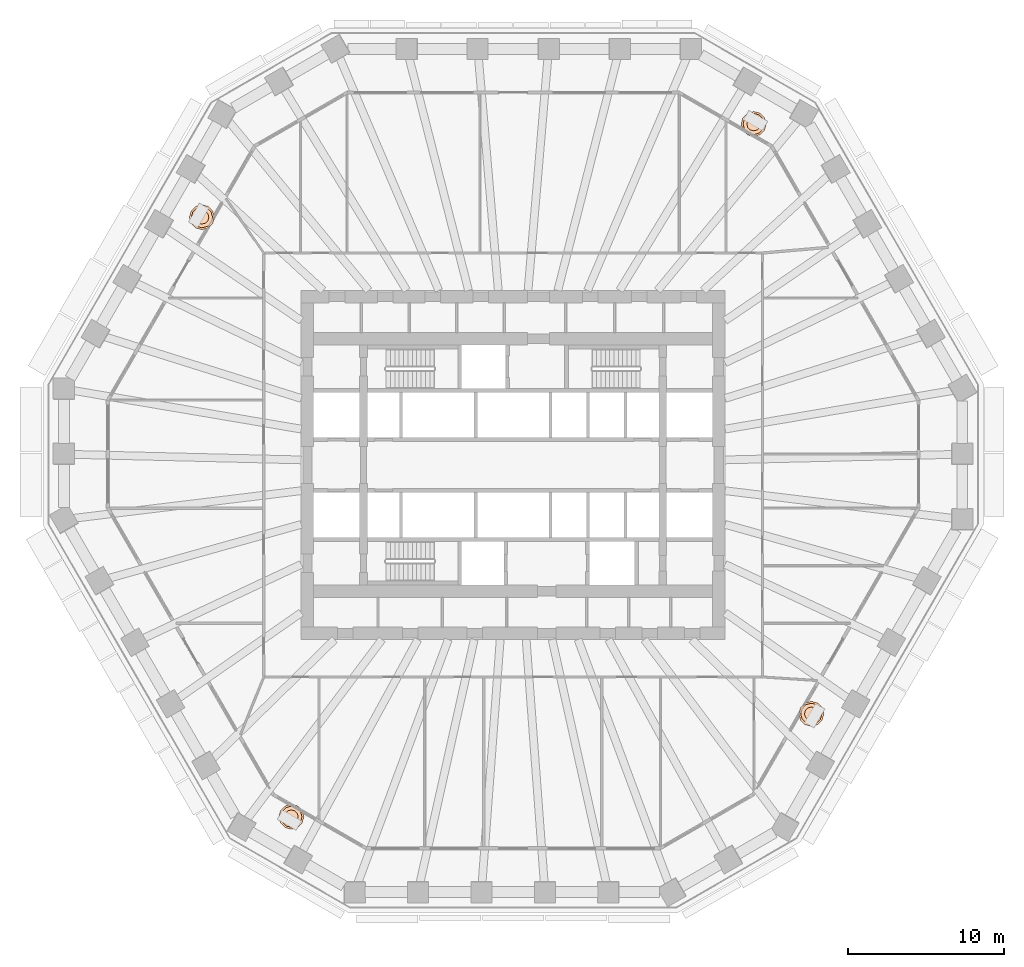
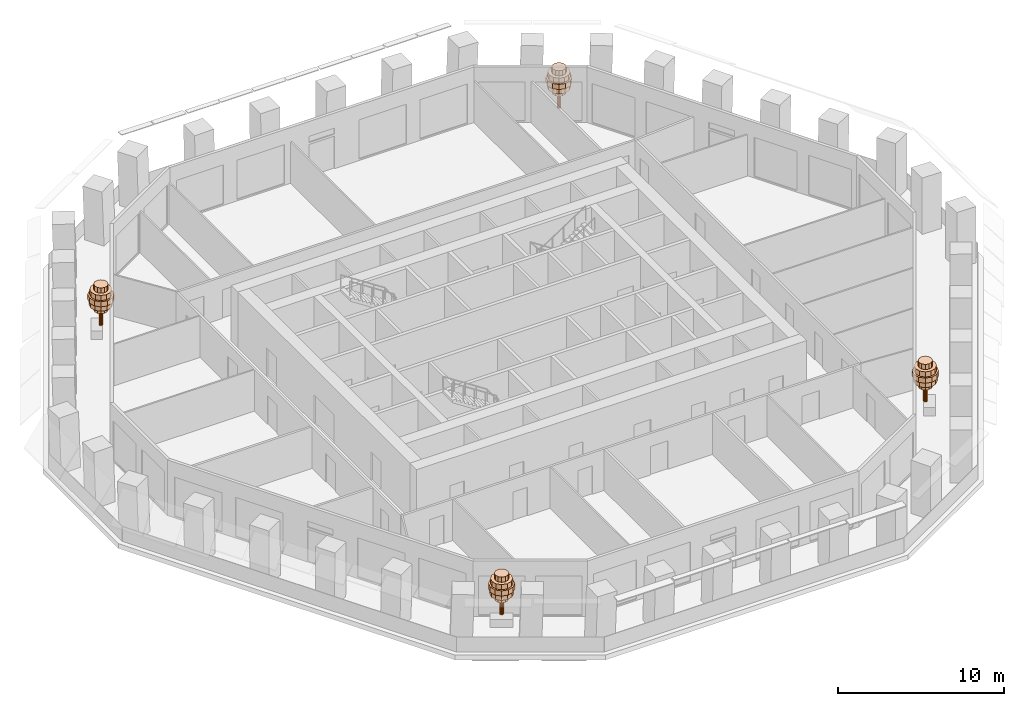
# One storey, part 13 of 13: 4 geographic elements.
"""IFC4 building model written with IfcOpenShell, lengths in metres."""

from ifc_helpers import new_model, si_unit, direction, frame, origin, place, context, subcontext, project, spatial, polyline, outline, extrude, material, type_object, element, save


model = new_model("IFC4")

# Units and contexts
model_context = context("Model", 3, precision=1e-05, world=origin(), true_north=direction((0.0, 1.0)))
body_context = subcontext(model_context, "Body", "Model", "MODEL_VIEW")
ifc_project = project(units=[si_unit("LENGTHUNIT", "METRE"), si_unit("AREAUNIT", "SQUARE_METRE"), si_unit("VOLUMEUNIT", "CUBIC_METRE"), si_unit("PLANEANGLEUNIT", "RADIAN"), si_unit("MASSUNIT", "GRAM", prefix="KILO")], contexts=[model_context])

# Site, building, storey
site_placement = place(None, origin())
site = spatial("IfcSite", under=ifc_project, at=site_placement, CompositionType="ELEMENT")
building_placement = place(site_placement, origin())
building = spatial("IfcBuilding", under=site, at=building_placement, Name="Frailejon Research Tower", CompositionType="ELEMENT")
storey_placement = place(building_placement, frame((0.0, 0.0, 102.800048828125)))
storey = spatial("IfcBuildingStorey", under=building, at=storey_placement, Name="L22", CompositionType="ELEMENT", Elevation=102.800048828125)

# Geographic elements
ifc_material = material(Name="Foliage, green")
geographic_element_type = type_object("IfcGeographicElementType", Name="Frailejon tree, loggia", PredefinedType="USERDEFINED", material=ifc_material)
geographic_element_1_placement = place(storey_placement, frame((15.4296875, 21.878173828125, 0.599853515625)))
element("IfcGeographicElement", 1, at=geographic_element_1_placement, inside=storey, type_object=geographic_element_type, Name="Tree L22", ObjectType="TREE", PredefinedType="USERDEFINED", context=body_context, shape_type="SweptSolid", body=[
    extrude(outline(polyline([(0.1298828125, 0.0), (0.112548828125, 0.06494140625), (0.06494140625, 0.112548828125), (0.0, 0.1298828125), (-0.06494140625, 0.112548828125), (-0.112548828125, 0.06494140625), (-0.1298828125, 0.0), (-0.112548828125, -0.06494140625), (-0.06494140625, -0.112548828125), (0.0, -0.1298828125), (0.06494140625, -0.112548828125), (0.112548828125, -0.06494140625), (0.1298828125, 0.0)])), origin(), (0.0, 0.0, 1.0), 2.239990234375),
    extrude(outline(polyline([(0.43994140625, 0.0), (0.381103515625, 0.219970703125), (0.219970703125, 0.381103515625), (0.0, 0.43994140625), (-0.219970703125, 0.381103515625), (-0.381103515625, 0.219970703125), (-0.43994140625, 0.0), (-0.381103515625, -0.219970703125), (-0.219970703125, -0.381103515625), (0.0, -0.43994140625), (0.219970703125, -0.381103515625), (0.381103515625, -0.219970703125), (0.43994140625, 0.0)])), frame((0.0, 0.0, 1.10009765625)), (0.0, 0.0, 1.0), 0.3798828125),
    extrude(outline(polyline([(0.719970703125, 0.0), (0.62353515625, 0.360107421875), (0.360107421875, 0.62353515625), (0.0, 0.719970703125), (-0.360107421875, 0.62353515625), (-0.62353515625, 0.360107421875), (-0.719970703125, 0.0), (-0.62353515625, -0.360107421875), (-0.360107421875, -0.62353515625), (0.0, -0.719970703125), (0.360107421875, -0.62353515625), (0.62353515625, -0.360107421875), (0.719970703125, 0.0)])), frame((0.0, 0.0, 1.47998046875)), (0.0, 0.0, 1.0), 0.3798828125),
    extrude(outline(polyline([(0.800048828125, 0.0), (0.69287109375, 0.39990234375), (0.39990234375, 0.69287109375), (0.0, 0.800048828125), (-0.39990234375, 0.69287109375), (-0.69287109375, 0.39990234375), (-0.800048828125, 0.0), (-0.69287109375, -0.39990234375), (-0.39990234375, -0.69287109375), (0.0, -0.800048828125), (0.39990234375, -0.69287109375), (0.69287109375, -0.39990234375), (0.800048828125, 0.0)])), frame((0.0, 0.0, 1.860107421875)), (0.0, 0.0, 1.0), 0.3798828125),
    extrude(outline(polyline([(0.679931640625, 0.0), (0.5888671875, 0.340087890625), (0.340087890625, 0.5888671875), (0.0, 0.679931640625), (-0.340087890625, 0.5888671875), (-0.5888671875, 0.340087890625), (-0.679931640625, 0.0), (-0.5888671875, -0.340087890625), (-0.340087890625, -0.5888671875), (0.0, -0.679931640625), (0.340087890625, -0.5888671875), (0.5888671875, -0.340087890625), (0.679931640625, 0.0)])), frame((0.0, 0.0, 2.239990234375)), (0.0, 0.0, 1.0), 0.3798828125),
    extrude(outline(polyline([(0.43994140625, 0.0), (0.381103515625, 0.219970703125), (0.219970703125, 0.381103515625), (0.0, 0.43994140625), (-0.219970703125, 0.381103515625), (-0.381103515625, 0.219970703125), (-0.43994140625, 0.0), (-0.381103515625, -0.219970703125), (-0.219970703125, -0.381103515625), (0.0, -0.43994140625), (0.219970703125, -0.381103515625), (0.381103515625, -0.219970703125), (0.43994140625, 0.0)])), frame((0.0, 0.0, 2.6201171875)), (0.0, 0.0, 1.0), 0.3798828125),
])
geographic_element_2_placement = place(storey_placement, frame((-19.96826171875, 15.896728515625, 0.599853515625)))
element("IfcGeographicElement", 2, at=geographic_element_2_placement, inside=storey, type_object=geographic_element_type, Name="Tree L22", ObjectType="TREE", PredefinedType="USERDEFINED", context=body_context, shape_type="SweptSolid", body=[
    extrude(outline(polyline([(0.1298828125, 0.0), (0.112548828125, 0.06494140625), (0.06494140625, 0.112548828125), (0.0, 0.1298828125), (-0.06494140625, 0.112548828125), (-0.112548828125, 0.06494140625), (-0.1298828125, 0.0), (-0.112548828125, -0.06494140625), (-0.06494140625, -0.112548828125), (0.0, -0.1298828125), (0.06494140625, -0.112548828125), (0.112548828125, -0.06494140625), (0.1298828125, 0.0)])), origin(), (0.0, 0.0, 1.0), 2.239990234375),
    extrude(outline(polyline([(0.43994140625, 0.0), (0.381103515625, 0.219970703125), (0.219970703125, 0.381103515625), (0.0, 0.43994140625), (-0.219970703125, 0.381103515625), (-0.381103515625, 0.219970703125), (-0.43994140625, 0.0), (-0.381103515625, -0.219970703125), (-0.219970703125, -0.381103515625), (0.0, -0.43994140625), (0.219970703125, -0.381103515625), (0.381103515625, -0.219970703125), (0.43994140625, 0.0)])), frame((0.0, 0.0, 1.10009765625)), (0.0, 0.0, 1.0), 0.3798828125),
    extrude(outline(polyline([(0.719970703125, 0.0), (0.62353515625, 0.360107421875), (0.360107421875, 0.62353515625), (0.0, 0.719970703125), (-0.360107421875, 0.62353515625), (-0.62353515625, 0.360107421875), (-0.719970703125, 0.0), (-0.62353515625, -0.360107421875), (-0.360107421875, -0.62353515625), (0.0, -0.719970703125), (0.360107421875, -0.62353515625), (0.62353515625, -0.360107421875), (0.719970703125, 0.0)])), frame((0.0, 0.0, 1.47998046875)), (0.0, 0.0, 1.0), 0.3798828125),
    extrude(outline(polyline([(0.800048828125, 0.0), (0.69287109375, 0.39990234375), (0.39990234375, 0.69287109375), (0.0, 0.800048828125), (-0.39990234375, 0.69287109375), (-0.69287109375, 0.39990234375), (-0.800048828125, 0.0), (-0.69287109375, -0.39990234375), (-0.39990234375, -0.69287109375), (0.0, -0.800048828125), (0.39990234375, -0.69287109375), (0.69287109375, -0.39990234375), (0.800048828125, 0.0)])), frame((0.0, 0.0, 1.860107421875)), (0.0, 0.0, 1.0), 0.3798828125),
    extrude(outline(polyline([(0.679931640625, 0.0), (0.5888671875, 0.340087890625), (0.340087890625, 0.5888671875), (0.0, 0.679931640625), (-0.340087890625, 0.5888671875), (-0.5888671875, 0.340087890625), (-0.679931640625, 0.0), (-0.5888671875, -0.340087890625), (-0.340087890625, -0.5888671875), (0.0, -0.679931640625), (0.340087890625, -0.5888671875), (0.5888671875, -0.340087890625), (0.679931640625, 0.0)])), frame((0.0, 0.0, 2.239990234375)), (0.0, 0.0, 1.0), 0.3798828125),
    extrude(outline(polyline([(0.43994140625, 0.0), (0.381103515625, 0.219970703125), (0.219970703125, 0.381103515625), (0.0, 0.43994140625), (-0.219970703125, 0.381103515625), (-0.381103515625, 0.219970703125), (-0.43994140625, 0.0), (-0.381103515625, -0.219970703125), (-0.219970703125, -0.381103515625), (0.0, -0.43994140625), (0.219970703125, -0.381103515625), (0.381103515625, -0.219970703125), (0.43994140625, 0.0)])), frame((0.0, 0.0, 2.6201171875)), (0.0, 0.0, 1.0), 0.3798828125),
])
geographic_element_3_placement = place(storey_placement, frame((-14.232177734375, -22.569580078125, 0.599853515625)))
element("IfcGeographicElement", 3, at=geographic_element_3_placement, inside=storey, type_object=geographic_element_type, Name="Tree L22", ObjectType="TREE", PredefinedType="USERDEFINED", context=body_context, shape_type="SweptSolid", body=[
    extrude(outline(polyline([(0.1298828125, 0.0), (0.112548828125, 0.06494140625), (0.06494140625, 0.112548828125), (0.0, 0.1298828125), (-0.06494140625, 0.112548828125), (-0.112548828125, 0.06494140625), (-0.1298828125, 0.0), (-0.112548828125, -0.06494140625), (-0.06494140625, -0.112548828125), (0.0, -0.1298828125), (0.06494140625, -0.112548828125), (0.112548828125, -0.06494140625), (0.1298828125, 0.0)])), origin(), (0.0, 0.0, 1.0), 2.239990234375),
    extrude(outline(polyline([(0.43994140625, 0.0), (0.381103515625, 0.219970703125), (0.219970703125, 0.381103515625), (0.0, 0.43994140625), (-0.219970703125, 0.381103515625), (-0.381103515625, 0.219970703125), (-0.43994140625, 0.0), (-0.381103515625, -0.219970703125), (-0.219970703125, -0.381103515625), (0.0, -0.43994140625), (0.219970703125, -0.381103515625), (0.381103515625, -0.219970703125), (0.43994140625, 0.0)])), frame((0.0, 0.0, 1.10009765625)), (0.0, 0.0, 1.0), 0.3798828125),
    extrude(outline(polyline([(0.719970703125, 0.0), (0.62353515625, 0.360107421875), (0.360107421875, 0.62353515625), (0.0, 0.719970703125), (-0.360107421875, 0.62353515625), (-0.62353515625, 0.360107421875), (-0.719970703125, 0.0), (-0.62353515625, -0.360107421875), (-0.360107421875, -0.62353515625), (0.0, -0.719970703125), (0.360107421875, -0.62353515625), (0.62353515625, -0.360107421875), (0.719970703125, 0.0)])), frame((0.0, 0.0, 1.47998046875)), (0.0, 0.0, 1.0), 0.3798828125),
    extrude(outline(polyline([(0.800048828125, 0.0), (0.69287109375, 0.39990234375), (0.39990234375, 0.69287109375), (0.0, 0.800048828125), (-0.39990234375, 0.69287109375), (-0.69287109375, 0.39990234375), (-0.800048828125, 0.0), (-0.69287109375, -0.39990234375), (-0.39990234375, -0.69287109375), (0.0, -0.800048828125), (0.39990234375, -0.69287109375), (0.69287109375, -0.39990234375), (0.800048828125, 0.0)])), frame((0.0, 0.0, 1.860107421875)), (0.0, 0.0, 1.0), 0.3798828125),
    extrude(outline(polyline([(0.679931640625, 0.0), (0.5888671875, 0.340087890625), (0.340087890625, 0.5888671875), (0.0, 0.679931640625), (-0.340087890625, 0.5888671875), (-0.5888671875, 0.340087890625), (-0.679931640625, 0.0), (-0.5888671875, -0.340087890625), (-0.340087890625, -0.5888671875), (0.0, -0.679931640625), (0.340087890625, -0.5888671875), (0.5888671875, -0.340087890625), (0.679931640625, 0.0)])), frame((0.0, 0.0, 2.239990234375)), (0.0, 0.0, 1.0), 0.3798828125),
    extrude(outline(polyline([(0.43994140625, 0.0), (0.381103515625, 0.219970703125), (0.219970703125, 0.381103515625), (0.0, 0.43994140625), (-0.219970703125, 0.381103515625), (-0.381103515625, 0.219970703125), (-0.43994140625, 0.0), (-0.381103515625, -0.219970703125), (-0.219970703125, -0.381103515625), (0.0, -0.43994140625), (0.219970703125, -0.381103515625), (0.381103515625, -0.219970703125), (0.43994140625, 0.0)])), frame((0.0, 0.0, 2.6201171875)), (0.0, 0.0, 1.0), 0.3798828125),
])
geographic_element_4_placement = place(storey_placement, frame((19.1298828125, -15.9658203125, 0.599853515625)))
element("IfcGeographicElement", 4, at=geographic_element_4_placement, inside=storey, type_object=geographic_element_type, Name="Tree L22", ObjectType="TREE", PredefinedType="USERDEFINED", context=body_context, shape_type="SweptSolid", body=[
    extrude(outline(polyline([(0.1298828125, 0.0), (0.112548828125, 0.06494140625), (0.06494140625, 0.112548828125), (0.0, 0.1298828125), (-0.06494140625, 0.112548828125), (-0.112548828125, 0.06494140625), (-0.1298828125, 0.0), (-0.112548828125, -0.06494140625), (-0.06494140625, -0.112548828125), (0.0, -0.1298828125), (0.06494140625, -0.112548828125), (0.112548828125, -0.06494140625), (0.1298828125, 0.0)])), origin(), (0.0, 0.0, 1.0), 2.239990234375),
    extrude(outline(polyline([(0.43994140625, 0.0), (0.381103515625, 0.219970703125), (0.219970703125, 0.381103515625), (0.0, 0.43994140625), (-0.219970703125, 0.381103515625), (-0.381103515625, 0.219970703125), (-0.43994140625, 0.0), (-0.381103515625, -0.219970703125), (-0.219970703125, -0.381103515625), (0.0, -0.43994140625), (0.219970703125, -0.381103515625), (0.381103515625, -0.219970703125), (0.43994140625, 0.0)])), frame((0.0, 0.0, 1.10009765625)), (0.0, 0.0, 1.0), 0.3798828125),
    extrude(outline(polyline([(0.719970703125, 0.0), (0.62353515625, 0.360107421875), (0.360107421875, 0.62353515625), (0.0, 0.719970703125), (-0.360107421875, 0.62353515625), (-0.62353515625, 0.360107421875), (-0.719970703125, 0.0), (-0.62353515625, -0.360107421875), (-0.360107421875, -0.62353515625), (0.0, -0.719970703125), (0.360107421875, -0.62353515625), (0.62353515625, -0.360107421875), (0.719970703125, 0.0)])), frame((0.0, 0.0, 1.47998046875)), (0.0, 0.0, 1.0), 0.3798828125),
    extrude(outline(polyline([(0.800048828125, 0.0), (0.69287109375, 0.39990234375), (0.39990234375, 0.69287109375), (0.0, 0.800048828125), (-0.39990234375, 0.69287109375), (-0.69287109375, 0.39990234375), (-0.800048828125, 0.0), (-0.69287109375, -0.39990234375), (-0.39990234375, -0.69287109375), (0.0, -0.800048828125), (0.39990234375, -0.69287109375), (0.69287109375, -0.39990234375), (0.800048828125, 0.0)])), frame((0.0, 0.0, 1.860107421875)), (0.0, 0.0, 1.0), 0.3798828125),
    extrude(outline(polyline([(0.679931640625, 0.0), (0.5888671875, 0.340087890625), (0.340087890625, 0.5888671875), (0.0, 0.679931640625), (-0.340087890625, 0.5888671875), (-0.5888671875, 0.340087890625), (-0.679931640625, 0.0), (-0.5888671875, -0.340087890625), (-0.340087890625, -0.5888671875), (0.0, -0.679931640625), (0.340087890625, -0.5888671875), (0.5888671875, -0.340087890625), (0.679931640625, 0.0)])), frame((0.0, 0.0, 2.239990234375)), (0.0, 0.0, 1.0), 0.3798828125),
    extrude(outline(polyline([(0.43994140625, 0.0), (0.381103515625, 0.219970703125), (0.219970703125, 0.381103515625), (0.0, 0.43994140625), (-0.219970703125, 0.381103515625), (-0.381103515625, 0.219970703125), (-0.43994140625, 0.0), (-0.381103515625, -0.219970703125), (-0.219970703125, -0.381103515625), (0.0, -0.43994140625), (0.219970703125, -0.381103515625), (0.381103515625, -0.219970703125), (0.43994140625, 0.0)])), frame((0.0, 0.0, 2.6201171875)), (0.0, 0.0, 1.0), 0.3798828125),
])

save(model, "model.ifc")
